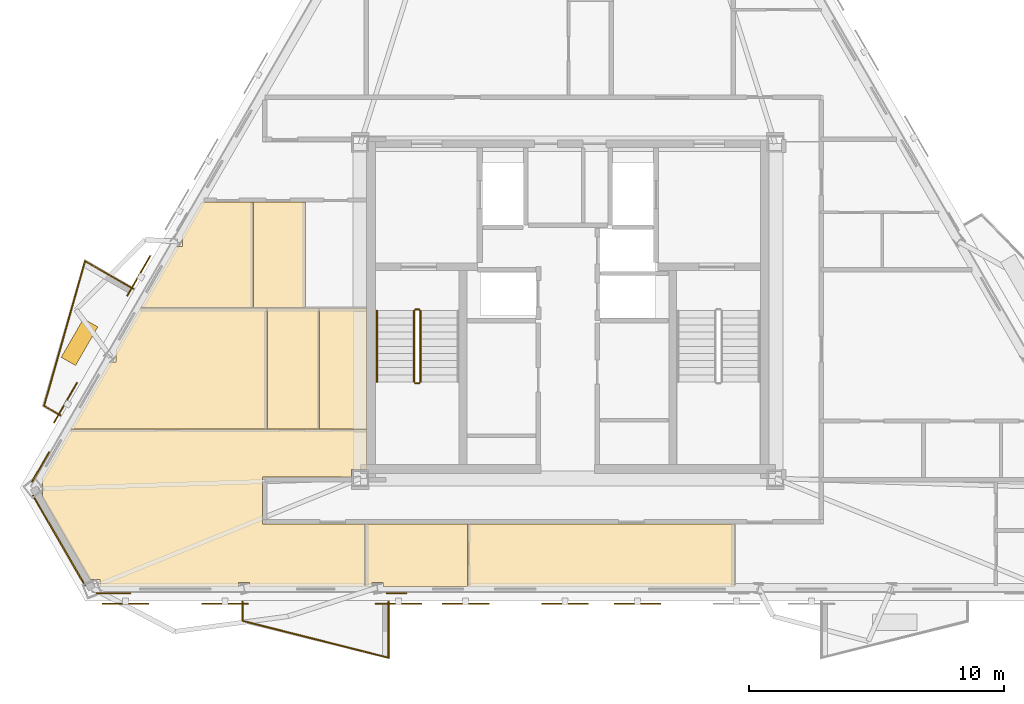
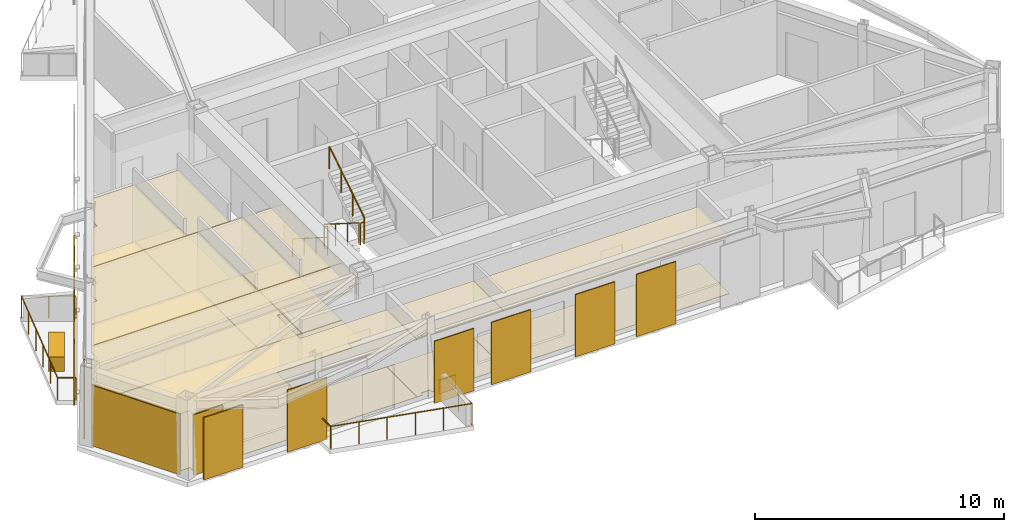
# One storey, part 7 of 9: 21 coverings, 11 railings, 8 shading devices.
"""IFC4 building model written with IfcOpenShell, lengths in metres."""

import ifcopenshell
import ifcopenshell.guid

model = None  # the IFC model being written
_history = None  # IfcOwnerHistory: only IFC2X3 demands one
_inside = {}  # id of a spatial element -> (the spatial element, [elements in it])
_under = {}  # id of a project, library or spatial element -> (it, [spatial elements below it])
_declared = {}  # id of a project -> (the project, [libraries it declares])
_typed = {}  # id of a type object -> (the type object, [elements of that type])
_made_of = {}  # id of a material, layer set ... -> (it, [elements and type objects made of it])


def new_model(schema):
    """Start an empty IFC model of exactly this schema.

    Asked for "IFC4X3", IfcOpenShell would pick the latest addendum, in which some entities
    have other attributes; the version numbers below select the first issue.
    IFC2X3 requires an IfcOwnerHistory on every rooted entity: one is made here for all.
    """
    global model, _history
    if schema == "IFC4X3":
        model = ifcopenshell.file(schema_version=(4, 3, 0, 0))
    else:
        model = ifcopenshell.file(schema=schema)
    _inside.clear()
    _under.clear()
    _declared.clear()
    _typed.clear()
    _made_of.clear()
    _history = None
    if model.schema == "IFC2X3":
        org = make("IfcOrganization", Name="unknown")
        user = make(
            "IfcPersonAndOrganization",
            ThePerson=make("IfcPerson", FamilyName="unknown"),
            TheOrganization=org,
        )
        app = make(
            "IfcApplication",
            ApplicationDeveloper=org,
            Version="unknown",
            ApplicationFullName="unknown",
            ApplicationIdentifier="unknown",
        )
        _history = make(
            "IfcOwnerHistory",
            OwningUser=user,
            OwningApplication=app,
            ChangeAction="ADDED",
            CreationDate=0,
        )
    return model


def make(cls, **values):
    """One entity of the class cls with the attributes given. An attribute that is None is left unset."""
    return model.create_entity(
        cls, **{name: value for name, value in values.items() if value is not None}
    )


def rooted(cls, **values):
    """An entity with a GlobalId (a new one), such as an element, a storey or a relation."""
    return make(cls, GlobalId=ifcopenshell.guid.new(), OwnerHistory=_history, **values)


def si_unit(unit_type, name, prefix=None):
    """IfcSIUnit, for example si_unit("LENGTHUNIT", "METRE", prefix="MILLI")."""
    return make("IfcSIUnit", UnitType=unit_type, Prefix=prefix, Name=name)


def assignment(units):
    """IfcUnitAssignment: the units of a project."""
    return None if units is None else make("IfcUnitAssignment", Units=units)


def point(xyz):
    """IfcCartesianPoint."""
    return None if xyz is None else make("IfcCartesianPoint", Coordinates=xyz)


def direction(xyz):
    """IfcDirection."""
    return None if xyz is None else make("IfcDirection", DirectionRatios=xyz)


def frame(location, z_axis=None, x_axis=None):
    """IfcAxis2Placement3D, a coordinate frame: its origin and axes. An axis left out is left unset."""
    return make(
        "IfcAxis2Placement3D",
        Location=point(location),
        Axis=direction(z_axis),
        RefDirection=direction(x_axis),
    )


def frame_2d(location, x_axis=None):
    """IfcAxis2Placement2D, a coordinate frame in the plane: its origin and x axis."""
    return make(
        "IfcAxis2Placement2D", Location=point(location), RefDirection=direction(x_axis)
    )


def origin():
    """The frame at (0, 0, 0) with its axes left unset."""
    return frame((0.0, 0.0, 0.0))


def origin_2d():
    """The frame at (0, 0) in the plane with its x axis left unset."""
    return frame_2d((0.0, 0.0))


def place(relative_to, where):
    """IfcLocalPlacement: puts the frame where relative to a parent placement (None: the world)."""
    return make(
        "IfcLocalPlacement", PlacementRelTo=relative_to, RelativePlacement=where
    )


def context(
    kind, dimensions, precision=None, world=None, true_north=None, identifier=None
):
    """IfcGeometricRepresentationContext, for example the 3D "Model" context."""
    return make(
        "IfcGeometricRepresentationContext",
        ContextIdentifier=identifier,
        ContextType=kind,
        CoordinateSpaceDimension=dimensions,
        Precision=precision,
        WorldCoordinateSystem=world,
        TrueNorth=true_north,
    )


def subcontext(parent, identifier, kind, view, scale=None):
    """IfcGeometricRepresentationSubContext, for example "Body" below "Model"."""
    return make(
        "IfcGeometricRepresentationSubContext",
        ContextIdentifier=identifier,
        ContextType=kind,
        ParentContext=parent,
        TargetScale=scale,
        TargetView=view,
    )


def project(units=None, contexts=None):
    """IfcProject with its units and contexts."""
    return rooted(
        "IfcProject",
        Name="project",
        RepresentationContexts=contexts,
        UnitsInContext=assignment(units),
    )


def spatial(cls, under=None, at=None, **own):
    """A site, building, storey or space (cls), placed at a placement, below another one or the project."""
    s = rooted(cls, ObjectPlacement=at, **own)
    if under is not None:
        _under.setdefault(under.id(), (under, []))[1].append(s)
    return s


def polyline(points):
    """IfcPolyline through the points."""
    return make("IfcPolyline", Points=[point(p) for p in points])


def profile(cls, at=None, kind="AREA", **sizes):
    """A parametric profile (cls). Its sizes go by their IFC names, for example OverallWidth=200.0."""
    return make(cls, ProfileType=kind, Position=at, **sizes)


def rectangle(**sizes):
    """IfcRectangleProfileDef."""
    return profile("IfcRectangleProfileDef", **sizes)


def circle(**sizes):
    """IfcCircleProfileDef."""
    return profile("IfcCircleProfileDef", **sizes)


def outline(outer, holes=None, kind="AREA"):
    """IfcArbitraryClosedProfileDef: a profile drawn as a closed curve; with holes, ...WithVoids."""
    if holes is None:
        return make("IfcArbitraryClosedProfileDef", ProfileType=kind, OuterCurve=outer)
    return make(
        "IfcArbitraryProfileDefWithVoids",
        ProfileType=kind,
        OuterCurve=outer,
        InnerCurves=holes,
    )


def extrude(swept, where, along, depth):
    """IfcExtrudedAreaSolid: the profile swept, set in the frame where, extruded along a direction by depth."""
    return make(
        "IfcExtrudedAreaSolid",
        SweptArea=swept,
        Position=where,
        ExtrudedDirection=direction(along),
        Depth=depth,
    )


def shape(context_of_items, identifier, shape_type, items):
    """IfcShapeRepresentation: the items that make up one representation, for example the "Body"."""
    return make(
        "IfcShapeRepresentation",
        ContextOfItems=context_of_items,
        RepresentationIdentifier=identifier,
        RepresentationType=shape_type,
        Items=items,
    )


def material(Name=None, Category=None):
    """IfcMaterial."""
    return make("IfcMaterial", Name=Name, Category=Category)


def layer(
    of_material, thickness, ventilated=None, Name=None, Category=None, Priority=None
):
    """IfcMaterialLayer: one layer of a wall or slab, of a material (None: an air gap)."""
    return make(
        "IfcMaterialLayer",
        Material=of_material,
        LayerThickness=thickness,
        IsVentilated=ventilated,
        Name=Name,
        Category=Category,
        Priority=Priority,
    )


def layer_set(layers, Name=None):
    """IfcMaterialLayerSet."""
    return make("IfcMaterialLayerSet", MaterialLayers=layers, LayerSetName=Name)


def made_of(thing, what):
    """Note that an element or type object is made of a material, layer set ...; save() writes the relation."""
    if what is not None:
        _made_of.setdefault(what.id(), (what, []))[1].append(thing)
    return thing


def type_object(cls, material=None, **own):
    """A type object (cls), such as IfcWallType, which elements share."""
    return made_of(rooted(cls, **own), material)


def element(
    cls,
    number,
    at=None,
    inside=None,
    cuts=None,
    type_object=None,
    material=None,
    context=None,
    identifier="Body",
    shape_type=None,
    held_by="IfcProductDefinitionShape",
    body=None,
    shapes=None,
    **own,
):
    """One element of the class cls, such as IfcWall. Its Tag is "e" and its number.

    at: its placement. inside: the storey or other place that contains it. cuts: it is an
    opening in that element (IfcRelVoidsElement). A single representation is given by context,
    identifier, shape_type and body (its items); several are given by shapes. held_by: the class
    of the entity that holds the representations. save() writes the other relations.
    """
    e = rooted(cls, Tag="e%d" % number, ObjectPlacement=at, **own)
    if body is not None:
        shapes = [shape(context, identifier, shape_type, body)]
    if shapes is not None:
        e.Representation = make(held_by, Representations=shapes)
    if inside is not None:
        _inside.setdefault(inside.id(), (inside, []))[1].append(e)
    if cuts is not None:
        rooted(
            "IfcRelVoidsElement", RelatingBuildingElement=cuts, RelatedOpeningElement=e
        )
    if type_object is not None:
        _typed.setdefault(type_object.id(), (type_object, []))[1].append(e)
    return made_of(e, material)


def aggregate(whole, parts):
    """IfcRelAggregates: a whole, such as a stair, and the parts it consists of."""
    return rooted("IfcRelAggregates", RelatingObject=whole, RelatedObjects=parts)


def save(model, path):
    """Write the relations noted so far, then the file.

    IfcRelAggregates (storeys below a building ...), IfcRelContainedInSpatialStructure (elements
    in a storey), IfcRelDefinesByType, IfcRelAssociatesMaterial and IfcRelDeclares: one each for
    every whole, place, type object, material and project.
    """
    for whole, parts in _under.values():
        aggregate(whole, parts)
    for where, things in _inside.values():
        rooted(
            "IfcRelContainedInSpatialStructure",
            RelatedElements=things,
            RelatingStructure=where,
        )
    for kind, things in _typed.values():
        rooted("IfcRelDefinesByType", RelatedObjects=things, RelatingType=kind)
    for what, things in _made_of.values():
        rooted("IfcRelAssociatesMaterial", RelatedObjects=things, RelatingMaterial=what)
    for by, libraries in _declared.values():
        rooted("IfcRelDeclares", RelatingContext=by, RelatedDefinitions=libraries)
    model.write(path)


model = new_model("IFC4")

# Units and contexts
model_context = context("Model", 3, precision=1e-05, world=origin(), true_north=direction((0.0, 1.0)))
body_context = subcontext(model_context, "Body", "Model", "MODEL_VIEW")
ifc_project = project(units=[si_unit("LENGTHUNIT", "METRE"), si_unit("AREAUNIT", "SQUARE_METRE"), si_unit("VOLUMEUNIT", "CUBIC_METRE"), si_unit("PLANEANGLEUNIT", "RADIAN"), si_unit("MASSUNIT", "GRAM", prefix="KILO")], contexts=[model_context])

# Site, building, storey
site_placement = place(None, origin())
site = spatial("IfcSite", under=ifc_project, at=site_placement, CompositionType="ELEMENT")
building_placement = place(site_placement, origin())
building = spatial("IfcBuilding", under=site, at=building_placement, Name="Oramaril Tower", CompositionType="ELEMENT")
storey_placement = place(building_placement, frame((0.0, 0.0, 277.199951171875)))
storey = spatial("IfcBuildingStorey", under=building, at=storey_placement, Name="L73", CompositionType="ELEMENT", Elevation=277.199951171875)

# Coverings
ifc_material_1 = material(Name="Mineral Fibre Acoustic Ceiling")
ifc_layer_1 = layer(ifc_material_1, 0.02001953125)
ifc_layer_set_1 = layer_set([ifc_layer_1], Name="CVT-CEIL")
covering_type_1 = type_object("IfcCoveringType", Name="CVT-CEIL", PredefinedType="CEILING", material=ifc_layer_set_1)
covering_1_placement = place(storey_placement, frame((0.0, 0.0, 2.81201171875)))
element("IfcCovering", 1, at=covering_1_placement, inside=storey, type_object=covering_type_1, Name="L73 Acoustic Suspended Ceiling 5", PredefinedType="CEILING", context=body_context, shape_type="SweptSolid", body=[
    extrude(outline(polyline([(33.57568359375, 6.760986328125), (33.57568359375, 9.199951171875), (44.0419921875, 9.199951171875), (44.0419921875, 6.760986328125), (33.57568359375, 6.760986328125)])), origin(), (0.0, 0.0, 1.0), 0.02001953125),
])
covering_2_placement = place(storey_placement, frame((0.0, 0.0, 2.81201171875)))
element("IfcCovering", 2, at=covering_2_placement, inside=storey, type_object=covering_type_1, Name="L73 Acoustic Suspended Ceiling 6", PredefinedType="CEILING", context=body_context, shape_type="SweptSolid", body=[
    extrude(outline(polyline([(30.228515625, 6.760986328125), (30.228515625, 6.918212890625), (29.806396484375, 6.918212890625), (29.806396484375, 6.760986328125), (29.5380859375, 6.760986328125), (29.5380859375, 9.199951171875), (33.5556640625, 9.199951171875), (33.5556640625, 6.760986328125), (30.228515625, 6.760986328125)])), origin(), (0.0, 0.0, 1.0), 0.02001953125),
])
covering_3_placement = place(storey_placement, frame((0.0, 0.0, 2.81201171875)))
element("IfcCovering", 3, at=covering_3_placement, inside=storey, type_object=covering_type_1, Name="L73 Acoustic Suspended Ceiling 10", PredefinedType="CEILING", context=body_context, shape_type="SweptSolid", body=[
    extrude(outline(polyline([(29.60009765625, 12.91943359375), (29.60009765625, 11.344970703125), (29.0048828125, 11.344970703125), (29.0048828125, 11.050048828125), (25.52001953125, 11.050048828125), (25.51806640625, 11.0498046875), (25.51611328125, 11.049560546875), (25.51416015625, 11.049072265625), (25.51220703125, 11.048583984375), (25.510498046875, 11.047607421875), (25.5087890625, 11.046630859375), (25.50732421875, 11.04541015625), (25.505859375, 11.044189453125), (25.50439453125, 11.042724609375), (25.50341796875, 11.041015625), (25.50244140625, 11.039306640625), (25.50146484375, 11.03759765625), (25.5009765625, 11.035888671875), (25.50048828125, 11.033935546875), (25.5, 11.031982421875), (25.5, 11.030029296875), (25.5, 9.219970703125), (25.5, 9.218017578125), (25.50048828125, 9.216064453125), (25.5009765625, 9.214111328125), (25.50146484375, 9.21240234375), (25.50244140625, 9.210693359375), (25.50341796875, 9.208984375), (25.50439453125, 9.207275390625), (25.505859375, 9.205810546875), (25.50732421875, 9.20458984375), (25.5087890625, 9.203369140625), (25.510498046875, 9.202392578125), (25.51220703125, 9.201416015625), (25.51416015625, 9.200927734375), (25.51611328125, 9.200439453125), (25.51806640625, 9.2001953125), (25.52001953125, 9.199951171875), (29.51806640625, 9.199951171875), (29.51806640625, 6.760986328125), (24.994140625, 6.760986328125), (24.994140625, 6.918212890625), (24.5654296875, 6.918212890625), (24.5654296875, 6.760986328125), (19.125244140625, 6.760986328125), (19.125244140625, 7.031494140625), (18.71142578125, 7.031494140625), (16.84521484375, 10.26416015625), (16.866455078125, 10.26416015625), (16.866455078125, 10.953369140625), (16.81689453125, 10.953369140625), (17.951904296875, 12.91943359375), (29.60009765625, 12.91943359375)])), origin(), (0.0, 0.0, 1.0), 0.02001953125),
])
covering_4_placement = place(storey_placement, frame((0.0, 0.0, 2.81201171875)))
element("IfcCovering", 4, at=covering_4_placement, inside=storey, type_object=covering_type_1, Name="L73 Acoustic Suspended Ceiling 11", PredefinedType="CEILING", context=body_context, shape_type="SweptSolid", body=[
    extrude(outline(polyline([(19.479248046875, 15.56494140625), (19.747802734375, 15.56494140625), (19.747802734375, 16.020751953125), (19.742431640625, 16.020751953125), (20.70751953125, 17.69189453125), (25.681884765625, 17.69189453125), (25.681884765625, 12.939453125), (17.96337890625, 12.939453125), (19.479248046875, 15.56494140625)])), origin(), (0.0, 0.0, 1.0), 0.02001953125),
])
covering_5_placement = place(storey_placement, frame((0.0, 0.0, 2.81201171875)))
element("IfcCovering", 5, at=covering_5_placement, inside=storey, type_object=covering_type_1, Name="L73 Acoustic Suspended Ceiling 12", PredefinedType="CEILING", context=body_context, shape_type="SweptSolid", body=[
    extrude(outline(polyline([(27.73193359375, 17.69189453125), (27.73193359375, 12.939453125), (25.701904296875, 12.939453125), (25.701904296875, 17.69189453125), (27.73193359375, 17.69189453125)])), origin(), (0.0, 0.0, 1.0), 0.02001953125),
])
covering_6_placement = place(storey_placement, frame((0.0, 0.0, 2.81201171875)))
element("IfcCovering", 6, at=covering_6_placement, inside=storey, type_object=covering_type_1, Name="L73 Acoustic Suspended Ceiling 13", PredefinedType="CEILING", context=body_context, shape_type="SweptSolid", body=[
    extrude(outline(polyline([(29.60009765625, 17.69189453125), (29.60009765625, 12.939453125), (27.751953125, 12.939453125), (27.751953125, 17.69189453125), (29.60009765625, 17.69189453125)])), origin(), (0.0, 0.0, 1.0), 0.02001953125),
])
covering_7_placement = place(storey_placement, frame((0.0, 0.0, 2.81201171875)))
element("IfcCovering", 7, at=covering_7_placement, inside=storey, type_object=covering_type_1, Name="L73 Acoustic Suspended Ceiling 15", PredefinedType="CEILING", context=body_context, shape_type="SweptSolid", body=[
    extrude(outline(polyline([(22.368408203125, 20.103759765625), (22.368408203125, 20.553955078125), (22.359619140625, 20.553955078125), (23.119873046875, 21.87060546875), (23.120361328125, 21.870361328125), (23.122314453125, 21.86962890625), (23.1240234375, 21.868896484375), (23.1259765625, 21.868408203125), (23.1279296875, 21.8681640625), (23.1298828125, 21.867919921875), (25.134765625, 21.867919921875), (25.134765625, 17.7119140625), (20.718994140625, 17.7119140625), (22.099609375, 20.103759765625), (22.368408203125, 20.103759765625)])), origin(), (0.0, 0.0, 1.0), 0.02001953125),
])
covering_8_placement = place(storey_placement, frame((0.0, 0.0, 2.81201171875)))
element("IfcCovering", 8, at=covering_8_placement, inside=storey, type_object=covering_type_1, Name="L73 Acoustic Suspended Ceiling 16", PredefinedType="CEILING", context=body_context, shape_type="SweptSolid", body=[
    extrude(outline(polyline([(27.184814453125, 17.7119140625), (25.701904296875, 17.7119140625), (25.699951171875, 17.7119140625), (25.697998046875, 17.711669921875), (25.6962890625, 17.711181640625), (25.6943359375, 17.71044921875), (25.692626953125, 17.709716796875), (25.69189453125, 17.709228515625), (25.69140625, 17.709716796875), (25.689697265625, 17.71044921875), (25.687744140625, 17.711181640625), (25.685791015625, 17.711669921875), (25.68408203125, 17.7119140625), (25.681884765625, 17.7119140625), (25.15478515625, 17.7119140625), (25.15478515625, 21.867919921875), (27.184814453125, 21.867919921875), (27.184814453125, 17.7119140625)])), origin(), (0.0, 0.0, 1.0), 0.02001953125),
])
ifc_material_2 = material(Name="Warm Cream Limestone", Category="masonry")
ifc_layer_2 = layer(ifc_material_2, 0.050048828125)
ifc_layer_set_2 = layer_set([ifc_layer_2], Name="CVT-CLD")
covering_type_2 = type_object("IfcCoveringType", Name="CVT-CLD", PredefinedType="CLADDING", material=ifc_layer_set_2)
covering_9_placement = place(storey_placement, frame((17.510986328125, 8.559326171875, 0.0400390625), z_axis=(0.0, 0.0, 1.0), x_axis=(0.499978838858, -0.866037620831, 0.0)))
element("IfcCovering", 9, at=covering_9_placement, inside=storey, type_object=covering_type_2, Name="L73 Warm Cream Limestone Cladding", PredefinedType="CLADDING", context=body_context, shape_type="SweptSolid", body=[
    extrude(rectangle(XDim=4.095947265625, YDim=0.050048828125, at=origin_2d()), origin(), (0.0, 0.0, 1.0), 2.97802734375),
])
covering_10_placement = place(storey_placement, frame((19.6552734375, 6.485107421875, 0.0400390625), z_axis=(0.0, 0.0, 1.0), x_axis=(1.0, 0.0, 0.0)))
element("IfcCovering", 10, at=covering_10_placement, inside=storey, type_object=covering_type_2, Name="L73 Warm Cream Limestone Cladding", PredefinedType="CLADDING", context=body_context, shape_type="SweptSolid", body=[
    extrude(rectangle(XDim=1.35009765625, YDim=0.050048828125, at=origin_2d()), origin(), (0.0, 0.0, 1.0), 2.97802734375),
])
covering_11_placement = place(storey_placement, frame((30.77001953125, 6.485107421875, 0.0400390625), z_axis=(0.0, 0.0, 1.0), x_axis=(1.0, 0.0, 0.0)))
element("IfcCovering", 11, at=covering_11_placement, inside=storey, type_object=covering_type_2, Name="L73 Warm Cream Limestone Spandrel Cladding", PredefinedType="CLADDING", context=body_context, shape_type="SweptSolid", body=[
    extrude(rectangle(XDim=0.800048828125, YDim=0.050048828125, at=origin_2d()), origin(), (0.0, 0.0, 1.0), 0.679931640625),
])
covering_12_placement = place(storey_placement, frame((16.786865234375, 11.45361328125, 0.0400390625), z_axis=(0.0, 0.0, 1.0), x_axis=(-0.4999984885, -0.866026276448, 0.0)))
element("IfcCovering", 12, at=covering_12_placement, inside=storey, type_object=covering_type_2, Name="L73 Warm Cream Limestone Cladding", PredefinedType="CLADDING", context=body_context, shape_type="SweptSolid", body=[
    extrude(rectangle(XDim=1.35009765625, YDim=0.050048828125, at=origin_2d()), origin(), (0.0, 0.0, 1.0), 2.97802734375),
])
covering_13_placement = place(storey_placement, frame((18.314208984375, 16.35595703125, 0.0), z_axis=(0.0, 0.0, 1.0), x_axis=(-0.4999984885, -0.866026276448, 0.0)))
element("IfcCovering", 13, at=covering_13_placement, inside=storey, type_object=covering_type_2, Name="L73 Structural Tree Planter Box L73-BAL-NW2", PredefinedType="CLADDING", context=body_context, shape_type="SweptSolid", body=[
    extrude(rectangle(XDim=1.75, YDim=0.64990234375, at=origin_2d()), origin(), (0.0, 0.0, 1.0), 0.699951171875),
])
ifc_material_3 = material(Name="Honed Quartzite Stone Flooring", Category="masonry")
ifc_layer_3 = layer(ifc_material_3, 0.02490234375)
ifc_layer_set_3 = layer_set([ifc_layer_3], Name="CVT-FLR")
covering_type_3 = type_object("IfcCoveringType", Name="CVT-FLR", PredefinedType="FLOORING", material=ifc_layer_set_3)
covering_14_placement = place(storey_placement, origin())
element("IfcCovering", 14, at=covering_14_placement, inside=storey, type_object=covering_type_3, Name="L73 Honed Stone Floor Finish 5", PredefinedType="FLOORING", context=body_context, shape_type="SweptSolid", body=[
    extrude(outline(polyline([(33.57568359375, 6.760986328125), (33.57568359375, 9.199951171875), (44.0419921875, 9.199951171875), (44.0419921875, 6.760986328125), (33.57568359375, 6.760986328125)])), origin(), (0.0, 0.0, 1.0), 0.025146484375),
])
covering_15_placement = place(storey_placement, origin())
element("IfcCovering", 15, at=covering_15_placement, inside=storey, type_object=covering_type_3, Name="L73 Honed Stone Floor Finish 6", PredefinedType="FLOORING", context=body_context, shape_type="SweptSolid", body=[
    extrude(outline(polyline([(30.228515625, 6.760986328125), (30.228515625, 6.918212890625), (29.806396484375, 6.918212890625), (29.806396484375, 6.760986328125), (29.5380859375, 6.760986328125), (29.5380859375, 9.199951171875), (33.5556640625, 9.199951171875), (33.5556640625, 6.760986328125), (30.228515625, 6.760986328125)])), origin(), (0.0, 0.0, 1.0), 0.025146484375),
])
covering_16_placement = place(storey_placement, origin())
element("IfcCovering", 16, at=covering_16_placement, inside=storey, type_object=covering_type_3, Name="L73 Honed Stone Floor Finish 10", PredefinedType="FLOORING", context=body_context, shape_type="SweptSolid", body=[
    extrude(outline(polyline([(29.60009765625, 12.91943359375), (29.60009765625, 11.344970703125), (29.0048828125, 11.344970703125), (29.0048828125, 11.050048828125), (25.52001953125, 11.050048828125), (25.51806640625, 11.0498046875), (25.51611328125, 11.049560546875), (25.51416015625, 11.049072265625), (25.51220703125, 11.048583984375), (25.510498046875, 11.047607421875), (25.5087890625, 11.046630859375), (25.50732421875, 11.04541015625), (25.505859375, 11.044189453125), (25.50439453125, 11.042724609375), (25.50341796875, 11.041015625), (25.50244140625, 11.039306640625), (25.50146484375, 11.03759765625), (25.5009765625, 11.035888671875), (25.50048828125, 11.033935546875), (25.5, 11.031982421875), (25.5, 11.030029296875), (25.5, 9.219970703125), (25.5, 9.218017578125), (25.50048828125, 9.216064453125), (25.5009765625, 9.214111328125), (25.50146484375, 9.21240234375), (25.50244140625, 9.210693359375), (25.50341796875, 9.208984375), (25.50439453125, 9.207275390625), (25.505859375, 9.205810546875), (25.50732421875, 9.20458984375), (25.5087890625, 9.203369140625), (25.510498046875, 9.202392578125), (25.51220703125, 9.201416015625), (25.51416015625, 9.200927734375), (25.51611328125, 9.200439453125), (25.51806640625, 9.2001953125), (25.52001953125, 9.199951171875), (29.51806640625, 9.199951171875), (29.51806640625, 6.760986328125), (24.994140625, 6.760986328125), (24.994140625, 6.918212890625), (24.5654296875, 6.918212890625), (24.5654296875, 6.760986328125), (19.125244140625, 6.760986328125), (19.125244140625, 7.031494140625), (18.71142578125, 7.031494140625), (16.84521484375, 10.26416015625), (16.866455078125, 10.26416015625), (16.866455078125, 10.953369140625), (16.81689453125, 10.953369140625), (17.951904296875, 12.91943359375), (29.60009765625, 12.91943359375)])), origin(), (0.0, 0.0, 1.0), 0.025146484375),
])
covering_17_placement = place(storey_placement, origin())
element("IfcCovering", 17, at=covering_17_placement, inside=storey, type_object=covering_type_3, Name="L73 Honed Stone Floor Finish 11", PredefinedType="FLOORING", context=body_context, shape_type="SweptSolid", body=[
    extrude(outline(polyline([(19.479248046875, 15.56494140625), (19.747802734375, 15.56494140625), (19.747802734375, 16.020751953125), (19.742431640625, 16.020751953125), (20.70751953125, 17.69189453125), (25.681884765625, 17.69189453125), (25.681884765625, 12.939453125), (17.96337890625, 12.939453125), (19.479248046875, 15.56494140625)])), origin(), (0.0, 0.0, 1.0), 0.025146484375),
])
covering_18_placement = place(storey_placement, origin())
element("IfcCovering", 18, at=covering_18_placement, inside=storey, type_object=covering_type_3, Name="L73 Honed Stone Floor Finish 12", PredefinedType="FLOORING", context=body_context, shape_type="SweptSolid", body=[
    extrude(outline(polyline([(27.73193359375, 17.69189453125), (27.73193359375, 12.939453125), (25.701904296875, 12.939453125), (25.701904296875, 17.69189453125), (27.73193359375, 17.69189453125)])), origin(), (0.0, 0.0, 1.0), 0.025146484375),
])
covering_19_placement = place(storey_placement, origin())
element("IfcCovering", 19, at=covering_19_placement, inside=storey, type_object=covering_type_3, Name="L73 Honed Stone Floor Finish 13", PredefinedType="FLOORING", context=body_context, shape_type="SweptSolid", body=[
    extrude(outline(polyline([(29.60009765625, 17.69189453125), (29.60009765625, 12.939453125), (27.751953125, 12.939453125), (27.751953125, 17.69189453125), (29.60009765625, 17.69189453125)])), origin(), (0.0, 0.0, 1.0), 0.025146484375),
])
covering_20_placement = place(storey_placement, origin())
element("IfcCovering", 20, at=covering_20_placement, inside=storey, type_object=covering_type_3, Name="L73 Honed Stone Floor Finish 15", PredefinedType="FLOORING", context=body_context, shape_type="SweptSolid", body=[
    extrude(outline(polyline([(22.368408203125, 20.103759765625), (22.368408203125, 20.553955078125), (22.359619140625, 20.553955078125), (23.119873046875, 21.87060546875), (23.120361328125, 21.870361328125), (23.122314453125, 21.86962890625), (23.1240234375, 21.868896484375), (23.1259765625, 21.868408203125), (23.1279296875, 21.8681640625), (23.1298828125, 21.867919921875), (25.134765625, 21.867919921875), (25.134765625, 17.7119140625), (20.718994140625, 17.7119140625), (22.099609375, 20.103759765625), (22.368408203125, 20.103759765625)])), origin(), (0.0, 0.0, 1.0), 0.025146484375),
])
covering_21_placement = place(storey_placement, origin())
element("IfcCovering", 21, at=covering_21_placement, inside=storey, type_object=covering_type_3, Name="L73 Honed Stone Floor Finish 16", PredefinedType="FLOORING", context=body_context, shape_type="SweptSolid", body=[
    extrude(outline(polyline([(27.184814453125, 17.7119140625), (25.701904296875, 17.7119140625), (25.699951171875, 17.7119140625), (25.697998046875, 17.711669921875), (25.6962890625, 17.711181640625), (25.6943359375, 17.71044921875), (25.692626953125, 17.709716796875), (25.69189453125, 17.709228515625), (25.69140625, 17.709716796875), (25.689697265625, 17.71044921875), (25.687744140625, 17.711181640625), (25.685791015625, 17.711669921875), (25.68408203125, 17.7119140625), (25.681884765625, 17.7119140625), (25.15478515625, 17.7119140625), (25.15478515625, 21.867919921875), (27.184814453125, 21.867919921875), (27.184814453125, 17.7119140625)])), origin(), (0.0, 0.0, 1.0), 0.025146484375),
])

# Railings
ifc_material_4 = material(Name="Stainless Steel 316L", Category="steel")
railing_type_1 = type_object("IfcRailingType", Name="RLT-GRD", PredefinedType="GUARDRAIL", material=ifc_material_4)
railing_1_placement = place(storey_placement, frame((30.45458984375, 6.14501953125, 0.0)))
element("IfcRailing", 22, at=railing_1_placement, inside=storey, type_object=railing_type_1, Name="L73 Balcony Guardrail L73-BAL-S1.1", PredefinedType="GUARDRAIL", context=body_context, shape_type="SweptSolid", body=[
    extrude(circle(Radius=0.02392578125, at=origin_2d()), frame((0.0, 0.0, 1.076171875), z_axis=(0.0, -1.0, 0.0), x_axis=(1.0, 0.0, 0.0)), (0.0, 0.0, 1.0), 2.19189453125),
    extrude(circle(Radius=0.02099609375, at=origin_2d()), origin(), (0.0, 0.0, 1.0), 1.052001953125),
    extrude(circle(Radius=0.02099609375, at=origin_2d()), frame((0.0, -1.095947265625, 0.0)), (0.0, 0.0, 1.0), 1.052001953125),
    extrude(circle(Radius=0.02099609375, at=origin_2d()), frame((0.0, -2.19189453125, 0.0)), (0.0, 0.0, 1.0), 1.052001953125),
])
railing_2_placement = place(storey_placement, frame((30.45458984375, 3.953125, 0.0)))
element("IfcRailing", 23, at=railing_2_placement, inside=storey, type_object=railing_type_1, Name="L73 Balcony Guardrail L73-BAL-S1.2", PredefinedType="GUARDRAIL", context=body_context, shape_type="SweptSolid", body=[
    extrude(circle(Radius=0.02392578125, at=origin_2d()), frame((0.0, 0.0, 1.076171875), z_axis=(-0.969443611257, 0.245314256807, 0.0), x_axis=(-0.245314256807, -0.969443611257, 0.0)), (0.0, 0.0, 1.0), 5.91064453125),
    extrude(circle(Radius=0.02099609375, at=origin_2d()), origin(), (0.0, 0.0, 1.0), 1.052001953125),
    extrude(circle(Radius=0.02099609375, at=origin_2d()), frame((-1.14599609375, 0.2900390625, 0.0)), (0.0, 0.0, 1.0), 1.052001953125),
    extrude(circle(Radius=0.02099609375, at=origin_2d()), frame((-2.2919921875, 0.580078125, 0.0)), (0.0, 0.0, 1.0), 1.052001953125),
    extrude(circle(Radius=0.02099609375, at=origin_2d()), frame((-3.43798828125, 0.869873046875, 0.0)), (0.0, 0.0, 1.0), 1.052001953125),
    extrude(circle(Radius=0.02099609375, at=origin_2d()), frame((-4.583984375, 1.159912109375, 0.0)), (0.0, 0.0, 1.0), 1.052001953125),
    extrude(circle(Radius=0.02099609375, at=origin_2d()), frame((-5.72998046875, 1.449951171875, 0.0)), (0.0, 0.0, 1.0), 1.052001953125),
])
railing_3_placement = place(storey_placement, frame((24.724609375, 5.403076171875, 0.0)))
element("IfcRailing", 24, at=railing_3_placement, inside=storey, type_object=railing_type_1, Name="L73 Balcony Guardrail L73-BAL-S1.3", PredefinedType="GUARDRAIL", context=body_context, shape_type="SweptSolid", body=[
    extrude(circle(Radius=0.02392578125, at=origin_2d()), frame((0.0, 0.0, 1.076171875), z_axis=(0.0, 1.0, 0.0), x_axis=(-1.0, 0.0, 0.0)), (0.0, 0.0, 1.0), 0.741943359375),
    extrude(circle(Radius=0.02099609375, at=origin_2d()), origin(), (0.0, 0.0, 1.0), 1.052001953125),
    extrude(circle(Radius=0.02099609375, at=origin_2d()), frame((0.0, 0.741943359375, 0.0)), (0.0, 0.0, 1.0), 1.052001953125),
])
railing_4_placement = place(storey_placement, frame((17.564697265625, 13.480712890625, 0.0)))
element("IfcRailing", 25, at=railing_4_placement, inside=storey, type_object=railing_type_1, Name="L73 Balcony Guardrail L73-BAL-NW2.1", PredefinedType="GUARDRAIL", context=body_context, shape_type="SweptSolid", body=[
    extrude(circle(Radius=0.02392578125, at=origin_2d()), frame((0.0, 0.0, 1.076171875), z_axis=(-0.865966403178, 0.500102178127, 0.0), x_axis=(-0.500102178127, -0.865966403178, 0.0)), (0.0, 0.0, 1.0), 0.741943359375),
    extrude(circle(Radius=0.02099609375, at=origin_2d()), origin(), (0.0, 0.0, 1.0), 1.052001953125),
    extrude(circle(Radius=0.02099609375, at=origin_2d()), frame((-0.642578125, 0.37109375, 0.0)), (0.0, 0.0, 1.0), 1.052001953125),
])
railing_5_placement = place(storey_placement, frame((16.922119140625, 13.851806640625, 0.0)))
element("IfcRailing", 26, at=railing_5_placement, inside=storey, type_object=railing_type_1, Name="L73 Balcony Guardrail L73-BAL-NW2.2", PredefinedType="GUARDRAIL", context=body_context, shape_type="SweptSolid", body=[
    extrude(circle(Radius=0.02392578125, at=origin_2d()), frame((0.0, 0.0, 1.076171875), z_axis=(0.272259686627, 0.962223811303, 0.0), x_axis=(-0.962223811303, 0.272259686627, 0.0)), (0.0, 0.0, 1.0), 5.910400390625),
    extrude(circle(Radius=0.02099609375, at=origin_2d()), origin(), (0.0, 0.0, 1.0), 1.052001953125),
    extrude(circle(Radius=0.02099609375, at=origin_2d()), frame((0.32177734375, 1.137451171875, 0.0)), (0.0, 0.0, 1.0), 1.052001953125),
    extrude(circle(Radius=0.02099609375, at=origin_2d()), frame((0.6435546875, 2.27490234375, 0.0)), (0.0, 0.0, 1.0), 1.052001953125),
    extrude(circle(Radius=0.02099609375, at=origin_2d()), frame((0.965576171875, 3.412109375, 0.0)), (0.0, 0.0, 1.0), 1.052001953125),
    extrude(circle(Radius=0.02099609375, at=origin_2d()), frame((1.287353515625, 4.549560546875, 0.0)), (0.0, 0.0, 1.0), 1.052001953125),
    extrude(circle(Radius=0.02099609375, at=origin_2d()), frame((1.609130859375, 5.68701171875, 0.0)), (0.0, 0.0, 1.0), 1.052001953125),
])
railing_6_placement = place(storey_placement, frame((18.53125, 19.538818359375, 0.0)))
element("IfcRailing", 27, at=railing_6_placement, inside=storey, type_object=railing_type_1, Name="L73 Balcony Guardrail L73-BAL-NW2.3", PredefinedType="GUARDRAIL", context=body_context, shape_type="SweptSolid", body=[
    extrude(circle(Radius=0.02392578125, at=origin_2d()), frame((0.0, 0.0, 1.076171875), z_axis=(0.866048343933, -0.499960264392, 0.0), x_axis=(0.499960264392, 0.866048343933, 0.0)), (0.0, 0.0, 1.0), 2.192138671875),
    extrude(circle(Radius=0.02099609375, at=origin_2d()), origin(), (0.0, 0.0, 1.0), 1.052001953125),
    extrude(circle(Radius=0.02099609375, at=origin_2d()), frame((0.94921875, -0.5478515625, 0.0)), (0.0, 0.0, 1.0), 1.052001953125),
    extrude(circle(Radius=0.02099609375, at=origin_2d()), frame((1.8984375, -1.095947265625, 0.0)), (0.0, 0.0, 1.0), 1.052001953125),
])
railing_7_placement = place(storey_placement, frame((31.4599609375, 17.590087890625, 0.17724609375)))
element("IfcRailing", 28, at=railing_7_placement, inside=storey, type_object=railing_type_1, Name="L73 ST-1 stair guard 1", PredefinedType="GUARDRAIL", context=body_context, shape_type="SweptSolid", body=[
    extrude(circle(Radius=0.02392578125, at=origin_2d()), frame((0.0, 0.0, 1.076171875), z_axis=(0.0, -0.844908973607, 0.534910110503), x_axis=(1.0, 0.0, 0.0)), (0.0, 0.0, 1.0), 3.31396484375),
    extrude(circle(Radius=0.02099609375, at=origin_2d()), origin(), (0.0, 0.0, 1.0), 1.052001953125),
    extrude(circle(Radius=0.02099609375, at=origin_2d()), frame((0.0, -0.933349609375, 0.5908203125)), (0.0, 0.0, 1.0), 1.052001953125),
    extrude(circle(Radius=0.02099609375, at=origin_2d()), frame((0.0, -1.86669921875, 1.181884765625)), (0.0, 0.0, 1.0), 1.052001953125),
    extrude(circle(Radius=0.02099609375, at=origin_2d()), frame((0.0, -2.800048828125, 1.772705078125)), (0.0, 0.0, 1.0), 1.052001953125),
])
railing_8_placement = place(storey_placement, frame((31.510009765625, 14.739990234375, 1.949951171875)))
element("IfcRailing", 29, at=railing_8_placement, inside=storey, type_object=railing_type_1, Name="L73 ST-1 stair guard 2", PredefinedType="GUARDRAIL", context=body_context, shape_type="SweptSolid", body=[
    extrude(circle(Radius=0.02392578125, at=origin_2d()), frame((0.0, 0.0, 1.076171875), z_axis=(1.0, 0.0, 0.0), x_axis=(0.0, 1.0, 0.0)), (0.0, 0.0, 1.0), 0.14990234375),
    extrude(circle(Radius=0.02099609375, at=origin_2d()), origin(), (0.0, 0.0, 1.0), 1.052001953125),
    extrude(circle(Radius=0.02099609375, at=origin_2d()), frame((0.14990234375, 0.0, 0.0)), (0.0, 0.0, 1.0), 1.052001953125),
])
railing_9_placement = place(storey_placement, frame((31.7099609375, 14.7900390625, 2.12744140625)))
element("IfcRailing", 30, at=railing_9_placement, inside=storey, type_object=railing_type_1, Name="L73 ST-1 stair guard 3", PredefinedType="GUARDRAIL", context=body_context, shape_type="SweptSolid", body=[
    extrude(circle(Radius=0.02392578125, at=origin_2d()), frame((0.0, 0.0, 1.076171875), z_axis=(0.0, 0.844908973607, 0.534910110503), x_axis=(-1.0, 0.0, 0.0)), (0.0, 0.0, 1.0), 3.31396484375),
    extrude(circle(Radius=0.02099609375, at=origin_2d()), origin(), (0.0, 0.0, 1.0), 1.052001953125),
    extrude(circle(Radius=0.02099609375, at=origin_2d()), frame((0.0, 0.933349609375, 0.5908203125)), (0.0, 0.0, 1.0), 1.052001953125),
    extrude(circle(Radius=0.02099609375, at=origin_2d()), frame((0.0, 1.86669921875, 1.181884765625)), (0.0, 0.0, 1.0), 1.052001953125),
    extrude(circle(Radius=0.02099609375, at=origin_2d()), frame((0.0, 2.800048828125, 1.772705078125)), (0.0, 0.0, 1.0), 1.052001953125),
])
railing_10_placement = place(storey_placement, frame((31.510009765625, 17.639892578125, 0.0)))
element("IfcRailing", 31, at=railing_10_placement, inside=storey, type_object=railing_type_1, Name="L73 ST-1 stair guard 4", PredefinedType="GUARDRAIL", context=body_context, shape_type="SweptSolid", body=[
    extrude(circle(Radius=0.02392578125, at=origin_2d()), frame((0.0, 0.0, 1.076171875), z_axis=(1.0, 0.0, 0.0), x_axis=(0.0, 1.0, 0.0)), (0.0, 0.0, 1.0), 0.14990234375),
    extrude(circle(Radius=0.02099609375, at=origin_2d()), origin(), (0.0, 0.0, 1.0), 1.052001953125),
    extrude(circle(Radius=0.02099609375, at=origin_2d()), frame((0.14990234375, 0.0, 0.0)), (0.0, 0.0, 1.0), 1.052001953125),
])
ifc_material_5 = material(Name="Stainless Steel 316L", Category="steel")
railing_type_2 = type_object("IfcRailingType", Name="RLT-HND", PredefinedType="HANDRAIL", material=ifc_material_5)
railing_11_placement = place(storey_placement, frame((30.0, 17.590087890625, 0.17724609375)))
element("IfcRailing", 32, at=railing_11_placement, inside=storey, type_object=railing_type_2, Name="L73 ST-1 stair handrail 1", PredefinedType="HANDRAIL", context=body_context, shape_type="SweptSolid", body=[
    extrude(circle(Radius=0.02392578125, at=origin_2d()), frame((0.0, 0.0, 0.8759765625), z_axis=(0.0, -0.844908973607, 0.534910110503), x_axis=(1.0, 0.0, 0.0)), (0.0, 0.0, 1.0), 3.31396484375),
    extrude(circle(Radius=0.02099609375, at=origin_2d()), origin(), (0.0, 0.0, 1.0), 0.851806640625),
    extrude(circle(Radius=0.02099609375, at=origin_2d()), frame((0.0, -0.933349609375, 0.5908203125)), (0.0, 0.0, 1.0), 0.851806640625),
    extrude(circle(Radius=0.02099609375, at=origin_2d()), frame((0.0, -1.86669921875, 1.181884765625)), (0.0, 0.0, 1.0), 0.851806640625),
    extrude(circle(Radius=0.02099609375, at=origin_2d()), frame((0.0, -2.800048828125, 1.772705078125)), (0.0, 0.0, 1.0), 0.851806640625),
])

# Shading devices
for number, where, z_axis, x_axis, name in (
    (33, (33.487060546875, 6.072998046875, -0.02001953125), (0.0, 0.0, 1.0), (1.0, 0.0, 0.0), "L73 Perforated Ceramic Solar Screen"),
    (34, (37.38720703125, 6.072998046875, -0.02001953125), (0.0, 0.0, 1.0), (1.0, 0.0, 0.0), "L73 Perforated Ceramic Solar Screen"),
    (35, (40.23046875, 6.072998046875, -0.02001953125), (0.0, 0.0, 1.0), (1.0, 0.0, 0.0), "L73 Perforated Ceramic Solar Screen"),
    (36, (30.843017578125, 6.072998046875, -0.02001953125), (0.0, 0.0, 1.0), (1.0, 0.0, 0.0), "L73 Perforated Ceramic Solar Screen"),
    (37, (20.12451171875, 6.072998046875, -0.02001953125), (0.0, 0.0, 1.0), (1.0, 0.0, 0.0), "L73 Perforated Ceramic Solar Screen"),
    (38, (24.0244140625, 6.072998046875, -0.02001953125), (0.0, 0.0, 1.0), (1.0, 0.0, 0.0), "L73 Perforated Ceramic Solar Screen"),
    (39, (17.763427734375, 13.968994140625, -0.02001953125), (0.0, 0.0, 1.0), (-0.4999984885, -0.866026276448, 0.0), "L73 Perforated Ceramic Solar Screen"),
    (40, (20.64404296875, 18.958251953125, -0.02001953125), (0.0, 0.0, 1.0), (-0.4999984885, -0.866026276448, 0.0), "L73 Perforated Ceramic Solar Screen"),
):
    element("IfcShadingDevice", number, at=place(storey_placement, frame(where, z_axis=z_axis, x_axis=x_axis)), inside=storey, Name=name, ObjectType="SCREEN", PredefinedType="USERDEFINED", context=body_context, shape_type="SweptSolid", body=[
        extrude(rectangle(XDim=1.8330078125, YDim=0.050048828125, at=origin_2d()), origin(), (0.0, 0.0, 1.0), 3.05810546875),
    ])

save(model, "model.ifc")
